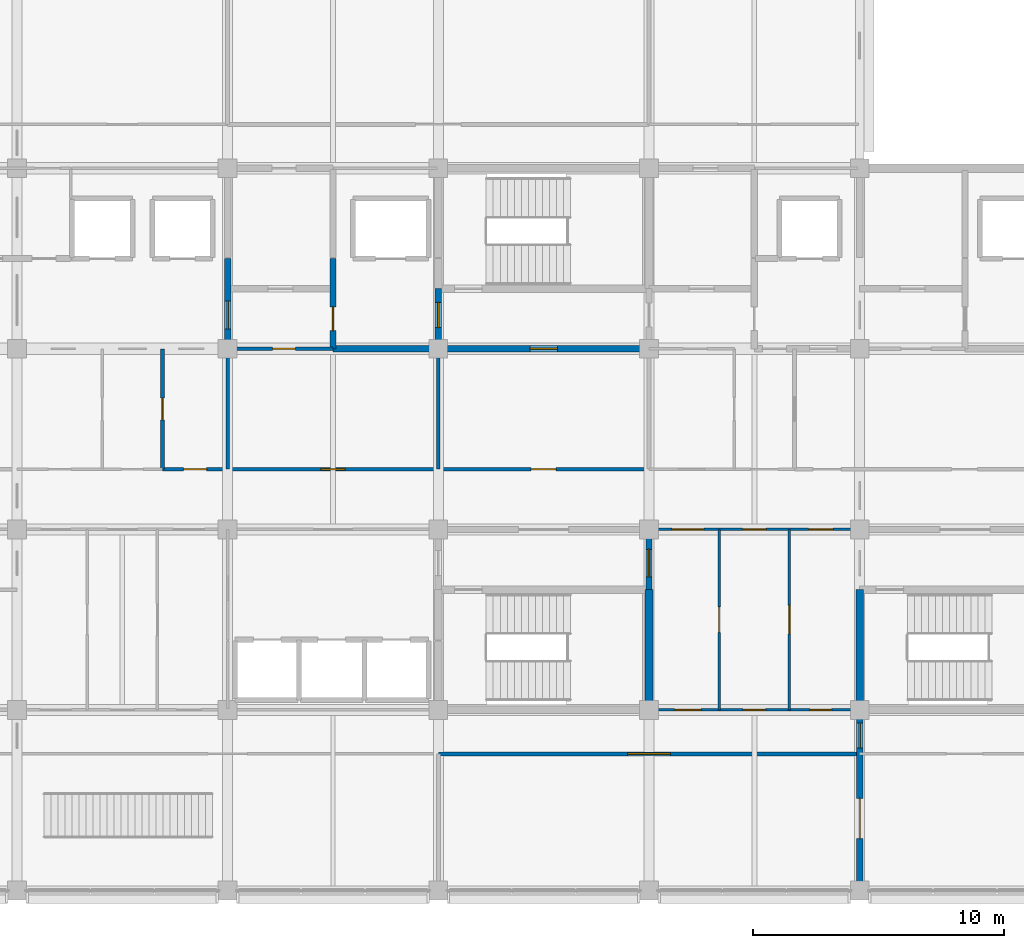
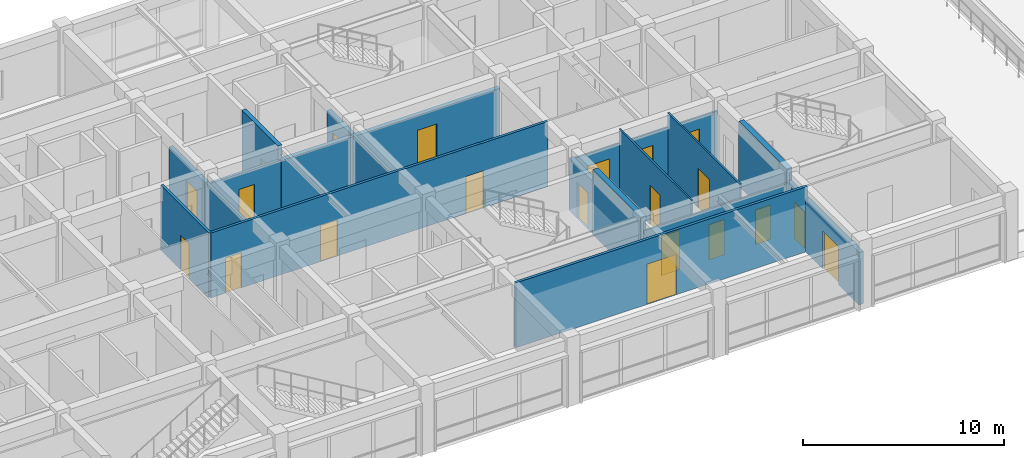
# One storey, part 20 of 27: 21 doors, 18 walls, 21 openings.
"""IFC4 building model written with IfcOpenShell, lengths in metres."""

from ifc_helpers import new_model, si_unit, direction, frame, frame_2d, origin, place, context, subcontext, project, spatial, rectangle, extrude, material, layer, layer_set, type_object, element, fill, save


model = new_model("IFC4")

# Units and contexts
model_context = context("Model", 3, precision=1e-05, world=origin(), true_north=direction((0.0, 1.0)))
body_context = subcontext(model_context, "Body", "Model", "MODEL_VIEW")
ifc_project = project(units=[si_unit("LENGTHUNIT", "METRE"), si_unit("AREAUNIT", "SQUARE_METRE"), si_unit("VOLUMEUNIT", "CUBIC_METRE"), si_unit("PLANEANGLEUNIT", "RADIAN"), si_unit("MASSUNIT", "GRAM", prefix="KILO")], contexts=[model_context])

# Site, building, storey
site_placement = place(None, origin())
site = spatial("IfcSite", under=ifc_project, at=site_placement, CompositionType="ELEMENT")
building_placement = place(site_placement, origin())
building = spatial("IfcBuilding", under=site, at=building_placement, Name="Chengyuan Square Courthouse", CompositionType="ELEMENT")
storey_placement = place(building_placement, frame((0.0, 0.0, 35.10009765625)))
storey = spatial("IfcBuildingStorey", under=building, at=storey_placement, Name="L08", CompositionType="ELEMENT", Elevation=35.10009765625)

# Wall, opening, door
ifc_material_1 = material(Name="Concrete C40", Category="concrete")
ifc_layer_1 = layer(ifc_material_1, 0.25)
ifc_layer_set_1 = layer_set([ifc_layer_1], Name="Concrete C40")
wall_type_1 = type_object("IfcWallType", Name="WL-FW1", PredefinedType="STANDARD", material=ifc_layer_set_1)
wall_1_placement = place(storey_placement, frame((96.60009765625, 100.800048828125, 0.0), z_axis=(0.0, 0.0, 1.0), x_axis=(1.0, 0.0, 0.0)))
wall_1 = element("IfcWall", 1, at=wall_1_placement, inside=storey, type_object=wall_type_1, Name="Interior Wall WL-L08-I2924", PredefinedType="STANDARD", context=body_context, shape_type="SweptSolid", body=[
    extrude(rectangle(XDim=12.599853515625, YDim=0.25, at=frame_2d((6.2998046875, 0.0))), origin(), (0.0, 0.0, 1.0), 3.099853515625),
])
opening_1_placement = place(wall_1_placement, frame((7.85009765625, 0.0, 0.0)))
opening_1 = element("IfcOpeningElement", 2, at=opening_1_placement, cuts=wall_1, Name="Opening DR-2506", PredefinedType="OPENING", context=body_context, shape_type="SweptSolid", body=[
    extrude(rectangle(XDim=1.10009765625, YDim=2.199951171875, at=frame_2d((0.550048828125, 1.10009765625))), frame((0.0, 0.136962890625, 0.0), z_axis=(0.0, -1.0, 0.0), x_axis=(1.0, 0.0, 0.0)), (0.0, 0.0, 1.0), 0.27392578125),
])
ifc_material_2 = material(Name="Steel Q235B Fire Door", Category="steel")
door_type_1 = type_object("IfcDoorType", Name="DT-10", OperationType="NOTDEFINED", PredefinedType="DOOR", material=ifc_material_2)
door_1_placement = place(opening_1_placement, origin())
door_1 = element("IfcDoor", 3, at=door_1_placement, inside=storey, type_object=door_type_1, Name="Interior Door DR-2506", OperationType="SINGLE_SWING_RIGHT", OverallHeight=2.199951171875, OverallWidth=1.10009765625, PredefinedType="DOOR", context=body_context, shape_type="SweptSolid", body=[
    extrude(rectangle(XDim=1.10009765625, YDim=2.199951171875, at=frame_2d((0.550048828125, 1.10009765625))), frame((0.0, 0.02490234375, 0.0), z_axis=(0.0, -1.0, 0.0), x_axis=(1.0, 0.0, 0.0)), (0.0, 0.0, 1.0), 0.050048828125),
])
fill(opening_1, door_1)

wall_2_placement = place(storey_placement, frame((92.39990234375, 100.800048828125, 0.0), z_axis=(0.0, 0.0, 1.0), x_axis=(0.0, 1.0, 0.0)))
wall_2 = element("IfcWall", 4, at=wall_2_placement, inside=storey, type_object=wall_type_1, Name="Interior Wall WL-L08-I3043", PredefinedType="STANDARD", context=body_context, shape_type="SweptSolid", body=[
    extrude(rectangle(XDim=3.599853515625, YDim=0.25, at=frame_2d((1.7998046875, 0.0))), origin(), (0.0, 0.0, 1.0), 3.199951171875),
])
opening_2_placement = place(wall_2_placement, frame((0.797607421875, 0.0, 0.0)))
opening_2 = element("IfcOpeningElement", 5, at=opening_2_placement, cuts=wall_2, Name="Opening DR-2524", PredefinedType="OPENING", context=body_context, shape_type="SweptSolid", body=[
    extrude(rectangle(XDim=1.10009765625, YDim=2.199951171875, at=frame_2d((0.550048828125, 1.10009765625))), frame((0.0, 0.136962890625, 0.0), z_axis=(0.0, -1.0, 0.0), x_axis=(1.0, 0.0, 0.0)), (0.0, 0.0, 1.0), 0.27392578125),
])
door_2_placement = place(opening_2_placement, origin())
door_2 = element("IfcDoor", 6, at=door_2_placement, inside=storey, type_object=door_type_1, Name="Interior Door DR-2524", OperationType="SINGLE_SWING_RIGHT", OverallHeight=2.199951171875, OverallWidth=1.10009765625, PredefinedType="DOOR", context=body_context, shape_type="SweptSolid", body=[
    extrude(rectangle(XDim=1.10009765625, YDim=2.199951171875, at=frame_2d((0.550048828125, 1.10009765625))), frame((0.0, 0.02490234375, 0.0), z_axis=(0.0, -1.0, 0.0), x_axis=(1.0, 0.0, 0.0)), (0.0, 0.0, 1.0), 0.050048828125),
])
fill(opening_2, door_2)

wall_3_placement = place(storey_placement, frame((96.60009765625, 100.800048828125, 0.0), z_axis=(0.0, 0.0, 1.0), x_axis=(0.0, 1.0, 0.0)))
wall_3 = element("IfcWall", 7, at=wall_3_placement, inside=storey, type_object=wall_type_1, Name="Interior Wall WL-L08-I3048", PredefinedType="STANDARD", context=body_context, shape_type="SweptSolid", body=[
    extrude(rectangle(XDim=3.599853515625, YDim=0.25, at=frame_2d((1.7998046875, 0.0))), origin(), (0.0, 0.0, 1.0), 3.949951171875),
])
opening_3_placement = place(wall_3_placement, frame((0.72509765625, 0.0, 0.0)))
opening_3 = element("IfcOpeningElement", 8, at=opening_3_placement, cuts=wall_3, Name="Opening DR-2523", PredefinedType="OPENING", context=body_context, shape_type="SweptSolid", body=[
    extrude(rectangle(XDim=0.949951171875, YDim=2.14990234375, at=frame_2d((0.47509765625, 1.074951171875))), frame((0.0, 0.136962890625, 0.0), z_axis=(0.0, -1.0, 0.0), x_axis=(1.0, 0.0, 0.0)), (0.0, 0.0, 1.0), 0.27392578125),
])
door_type_2 = type_object("IfcDoorType", Name="DT-12", OperationType="NOTDEFINED", PredefinedType="DOOR", material=ifc_material_2)
door_3_placement = place(opening_3_placement, origin())
door_3 = element("IfcDoor", 9, at=door_3_placement, inside=storey, type_object=door_type_2, Name="Interior Door DR-2523", OperationType="SINGLE_SWING_LEFT", OverallHeight=2.14990234375, OverallWidth=0.949951171875, PredefinedType="DOOR", context=body_context, shape_type="SweptSolid", body=[
    extrude(rectangle(XDim=0.949951171875, YDim=2.14990234375, at=frame_2d((0.47509765625, 1.074951171875))), frame((0.0, 0.02490234375, 0.0), z_axis=(0.0, -1.0, 0.0), x_axis=(1.0, 0.0, 0.0)), (0.0, 0.0, 1.0), 0.050048828125),
])
fill(opening_3, door_3)

wall_4_placement = place(storey_placement, frame((100.800048828125, 100.800048828125, 0.0), z_axis=(0.0, 0.0, 1.0), x_axis=(0.0, 1.0, 0.0)))
wall_4 = element("IfcWall", 10, at=wall_4_placement, inside=storey, type_object=wall_type_1, Name="Interior Wall WL-L08-I3059", PredefinedType="STANDARD", context=body_context, shape_type="SweptSolid", body=[
    extrude(rectangle(XDim=2.39990234375, YDim=0.25, at=frame_2d((1.199951171875, 0.0))), origin(), (0.0, 0.0, 1.0), 3.199951171875),
])
opening_4_placement = place(wall_4_placement, frame((0.847412109375, 0.0, 0.0)))
opening_4 = element("IfcOpeningElement", 11, at=opening_4_placement, cuts=wall_4, Name="Opening DR-2504", PredefinedType="OPENING", context=body_context, shape_type="SweptSolid", body=[
    extrude(rectangle(XDim=1.0, YDim=2.199951171875, at=frame_2d((0.5, 1.10009765625))), frame((0.0, 0.136962890625, 0.0), z_axis=(0.0, -1.0, 0.0), x_axis=(1.0, 0.0, 0.0)), (0.0, 0.0, 1.0), 0.27392578125),
])
door_type_3 = type_object("IfcDoorType", Name="DT-11", OperationType="NOTDEFINED", PredefinedType="DOOR", material=ifc_material_2)
door_4_placement = place(opening_4_placement, origin())
door_4 = element("IfcDoor", 12, at=door_4_placement, inside=storey, type_object=door_type_3, Name="Interior Door DR-2504", OperationType="SINGLE_SWING_RIGHT", OverallHeight=2.199951171875, OverallWidth=1.0, PredefinedType="DOOR", context=body_context, shape_type="SweptSolid", body=[
    extrude(rectangle(XDim=1.0, YDim=2.199951171875, at=frame_2d((0.5, 1.10009765625))), frame((0.0, 0.02490234375, 0.0), z_axis=(0.0, -1.0, 0.0), x_axis=(1.0, 0.0, 0.0)), (0.0, 0.0, 1.0), 0.050048828125),
])
fill(opening_4, door_4)

wall_5_placement = place(storey_placement, frame((109.199951171875, 91.199951171875, 0.0), z_axis=(0.0, 0.0, 1.0), x_axis=(0.0, 1.0, 0.0)))
wall_5 = element("IfcWall", 13, at=wall_5_placement, inside=storey, type_object=wall_type_1, Name="Interior Wall WL-L08-I3063", PredefinedType="STANDARD", context=body_context, shape_type="SweptSolid", body=[
    extrude(rectangle(XDim=2.400146484375, YDim=0.25, at=frame_2d((1.2001953125, 0.0))), origin(), (0.0, 0.0, 1.0), 3.199951171875),
])
opening_5_placement = place(wall_5_placement, frame((0.50244140625, 0.0, 0.0)))
opening_5 = element("IfcOpeningElement", 14, at=opening_5_placement, cuts=wall_5, Name="Opening DR-2512", PredefinedType="OPENING", context=body_context, shape_type="SweptSolid", body=[
    extrude(rectangle(XDim=1.10009765625, YDim=2.199951171875, at=frame_2d((0.550048828125, 1.10009765625))), frame((0.0, 0.136962890625, 0.0), z_axis=(0.0, -1.0, 0.0), x_axis=(1.0, 0.0, 0.0)), (0.0, 0.0, 1.0), 0.27392578125),
])
door_5_placement = place(opening_5_placement, origin())
door_5 = element("IfcDoor", 15, at=door_5_placement, inside=storey, type_object=door_type_1, Name="Interior Door DR-2512", OperationType="SINGLE_SWING_RIGHT", OverallHeight=2.199951171875, OverallWidth=1.10009765625, PredefinedType="DOOR", context=body_context, shape_type="SweptSolid", body=[
    extrude(rectangle(XDim=1.10009765625, YDim=2.199951171875, at=frame_2d((0.550048828125, 1.10009765625))), frame((0.0, 0.02490234375, 0.0), z_axis=(0.0, -1.0, 0.0), x_axis=(1.0, 0.0, 0.0)), (0.0, 0.0, 1.0), 0.050048828125),
])
fill(opening_5, door_5)

# Wall, openings, doors
wall_6_placement = place(storey_placement, frame((117.60009765625, 79.239990234375, 0.0), z_axis=(0.0, 0.0, 1.0), x_axis=(0.0, 1.0, 0.0)))
wall_6 = element("IfcWall", 16, at=wall_6_placement, inside=storey, type_object=wall_type_1, Name="Interior Wall WL-L08-I3076", PredefinedType="STANDARD", context=body_context, shape_type="SweptSolid", body=[
    extrude(rectangle(XDim=7.159912109375, YDim=0.25, at=frame_2d((3.580078125, 0.0))), origin(), (0.0, 0.0, 1.0), 3.199951171875),
])
opening_6_placement = place(wall_6_placement, frame((5.637451171875, 0.0, 0.0)))
opening_6 = element("IfcOpeningElement", 17, at=opening_6_placement, cuts=wall_6, Name="Opening DR-2627", PredefinedType="OPENING", context=body_context, shape_type="SweptSolid", body=[
    extrude(rectangle(XDim=1.0, YDim=2.199951171875, at=frame_2d((0.5, 1.10009765625))), frame((0.0, 0.136962890625, 0.0), z_axis=(0.0, -1.0, 0.0), x_axis=(1.0, 0.0, 0.0)), (0.0, 0.0, 1.0), 0.27392578125),
])
opening_7_placement = place(wall_6_placement, frame((2.032470703125, 0.0, 0.0)))
opening_7 = element("IfcOpeningElement", 18, at=opening_7_placement, cuts=wall_6, Name="Opening DR-2632", PredefinedType="OPENING", context=body_context, shape_type="SweptSolid", body=[
    extrude(rectangle(XDim=1.60009765625, YDim=2.300048828125, at=frame_2d((0.800048828125, 1.14990234375))), frame((0.0, 0.136962890625, 0.0), z_axis=(0.0, -1.0, 0.0), x_axis=(1.0, 0.0, 0.0)), (0.0, 0.0, 1.0), 0.27392578125),
])
door_6_placement = place(opening_6_placement, origin())
door_6 = element("IfcDoor", 19, at=door_6_placement, inside=storey, type_object=door_type_3, Name="Interior Door DR-2627", OperationType="SINGLE_SWING_LEFT", OverallHeight=2.199951171875, OverallWidth=1.0, PredefinedType="DOOR", context=body_context, shape_type="SweptSolid", body=[
    extrude(rectangle(XDim=1.0, YDim=2.199951171875, at=frame_2d((0.5, 1.10009765625))), frame((0.0, 0.02490234375, 0.0), z_axis=(0.0, -1.0, 0.0), x_axis=(1.0, 0.0, 0.0)), (0.0, 0.0, 1.0), 0.050048828125),
])
fill(opening_6, door_6)
ifc_material_3 = material(Name="Steel Q235B Glazed Fire Door", Category="steel")
door_type_4 = type_object("IfcDoorType", Name="DT-17", OperationType="DOUBLE_DOOR_SINGLE_SWING", PredefinedType="DOOR", material=ifc_material_3)
door_7_placement = place(opening_7_placement, frame((1.60009765625, 0.0, 0.0), z_axis=(0.0, 0.0, 1.0), x_axis=(-1.0, 0.0, 0.0)))
door_7 = element("IfcDoor", 20, at=door_7_placement, inside=storey, type_object=door_type_4, Name="Interior Door DR-2632", OperationType="DOUBLE_DOOR_SINGLE_SWING", OverallHeight=2.300048828125, OverallWidth=1.60009765625, PredefinedType="DOOR", context=body_context, shape_type="SweptSolid", body=[
    extrude(rectangle(XDim=1.60009765625, YDim=2.300048828125, at=frame_2d((0.800048828125, 1.14990234375))), frame((0.0, 0.02490234375, 0.0), z_axis=(0.0, -1.0, 0.0), x_axis=(1.0, 0.0, 0.0)), (0.0, 0.0, 1.0), 0.050048828125),
])
fill(opening_7, door_7)

# Wall, opening, door
ifc_material_4 = material(Name="Acoustic Timber-Lined Gypsum Partition", Category="wood")
ifc_layer_2 = layer(ifc_material_4, 0.159912109375)
ifc_layer_set_2 = layer_set([ifc_layer_2], Name="Acoustic Timber-Lined Gypsum Partition")
wall_type_2 = type_object("IfcWallType", Name="WL-PT2", PredefinedType="STANDARD", material=ifc_layer_set_2)
wall_7_placement = place(storey_placement, frame((100.800048828125, 84.64990234375, 0.0), z_axis=(0.0, 0.0, 1.0), x_axis=(1.0, 0.0, 0.0)))
wall_7 = element("IfcWall", 21, at=wall_7_placement, inside=storey, type_object=wall_type_2, Name="Interior Wall WL-L08-I2876", PredefinedType="STANDARD", context=body_context, shape_type="SweptSolid", body=[
    extrude(rectangle(XDim=16.800048828125, YDim=0.159912109375, at=frame_2d((8.39990234375, 0.0))), origin(), (0.0, 0.0, 1.0), 3.949951171875),
])
opening_8_placement = place(wall_7_placement, frame((7.550048828125, 0.0, 0.0)))
opening_8 = element("IfcOpeningElement", 22, at=opening_8_placement, cuts=wall_7, Name="Opening DR-2629", PredefinedType="OPENING", context=body_context, shape_type="SweptSolid", body=[
    extrude(rectangle(XDim=1.699951171875, YDim=2.449951171875, at=frame_2d((0.85009765625, 1.22509765625))), frame((0.0, 0.092041015625, 0.0), z_axis=(0.0, -1.0, 0.0), x_axis=(1.0, 0.0, 0.0)), (0.0, 0.0, 1.0), 0.183837890625),
])
ifc_material_5 = material(Name="Acoustic Larch Veneer Double Door")
door_type_5 = type_object("IfcDoorType", Name="DT-24", OperationType="DOUBLE_DOOR_SINGLE_SWING", PredefinedType="DOOR", material=ifc_material_5)
door_8_placement = place(opening_8_placement, frame((1.699951171875, 0.0, 0.0), z_axis=(0.0, 0.0, 1.0), x_axis=(-1.0, 0.0, 0.0)))
door_8 = element("IfcDoor", 23, at=door_8_placement, inside=storey, type_object=door_type_5, Name="Interior Door DR-2629", OperationType="DOUBLE_DOOR_SINGLE_SWING", OverallHeight=2.449951171875, OverallWidth=1.699951171875, PredefinedType="DOOR", context=body_context, shape_type="SweptSolid", body=[
    extrude(rectangle(XDim=1.699951171875, YDim=2.449951171875, at=frame_2d((0.85009765625, 1.22509765625))), frame((0.0, 0.02490234375, 0.0), z_axis=(0.0, -1.0, 0.0), x_axis=(1.0, 0.0, 0.0)), (0.0, 0.0, 1.0), 0.050048828125),
])
fill(opening_8, door_8)

# Wall, openings, doors
ifc_material_6 = material(Name="Deliberation Room Sound-Insulated Partition")
ifc_layer_3 = layer(ifc_material_6, 0.14990234375)
ifc_layer_set_3 = layer_set([ifc_layer_3], Name="Deliberation Room Sound-Insulated Partition")
wall_type_3 = type_object("IfcWallType", Name="WL-PT3", PredefinedType="STANDARD", material=ifc_layer_set_3)
wall_8_placement = place(storey_placement, frame((89.800048828125, 96.0, 0.0), z_axis=(0.0, 0.0, 1.0), x_axis=(1.0, 0.0, 0.0)))
wall_8 = element("IfcWall", 24, at=wall_8_placement, inside=storey, type_object=wall_type_3, Name="Interior Wall WL-L08-I2912", PredefinedType="STANDARD", context=body_context, shape_type="SweptSolid", body=[
    extrude(rectangle(XDim=19.39990234375, YDim=0.14990234375, at=frame_2d((9.699951171875, 0.0))), origin(), (0.0, 0.0, 1.0), 3.949951171875),
])
opening_9_placement = place(wall_8_placement, frame((0.840087890625, 0.0, 0.0)))
opening_9 = element("IfcOpeningElement", 25, at=opening_9_placement, cuts=wall_8, Name="Opening DR-2578", PredefinedType="OPENING", context=body_context, shape_type="SweptSolid", body=[
    extrude(rectangle(XDim=0.919921875, YDim=2.14990234375, at=frame_2d((0.4599609375, 1.074951171875))), frame((0.0, 0.0869140625, 0.0), z_axis=(0.0, -1.0, 0.0), x_axis=(1.0, 0.0, 0.0)), (0.0, 0.0, 1.0), 0.173828125),
])
opening_10_placement = place(wall_8_placement, frame((6.320068359375, 0.0, 0.0)))
opening_10 = element("IfcOpeningElement", 26, at=opening_10_placement, cuts=wall_8, Name="Opening DR-2579", PredefinedType="OPENING", context=body_context, shape_type="SweptSolid", body=[
    extrude(rectangle(XDim=0.9599609375, YDim=2.199951171875, at=frame_2d((0.47998046875, 1.10009765625))), frame((0.0, 0.0869140625, 0.0), z_axis=(0.0, -1.0, 0.0), x_axis=(1.0, 0.0, 0.0)), (0.0, 0.0, 1.0), 0.173828125),
])
opening_11_placement = place(wall_8_placement, frame((14.699951171875, 0.0, 0.0)))
opening_11 = element("IfcOpeningElement", 27, at=opening_11_placement, cuts=wall_8, Name="Opening DR-2580", PredefinedType="OPENING", context=body_context, shape_type="SweptSolid", body=[
    extrude(rectangle(XDim=1.0, YDim=2.25, at=frame_2d((0.5, 1.125))), frame((0.0, 0.0869140625, 0.0), z_axis=(0.0, -1.0, 0.0), x_axis=(1.0, 0.0, 0.0)), (0.0, 0.0, 1.0), 0.173828125),
])
ifc_material_7 = material(Name="Acoustic Solid-Core Timber Door", Category="wood")
door_type_6 = type_object("IfcDoorType", Name="DT-29", OperationType="NOTDEFINED", PredefinedType="DOOR", material=ifc_material_7)
door_9_placement = place(opening_9_placement, origin())
door_9 = element("IfcDoor", 28, at=door_9_placement, inside=storey, type_object=door_type_6, Name="Interior Door DR-2578", OperationType="SINGLE_SWING_RIGHT", OverallHeight=2.14990234375, OverallWidth=0.919921875, PredefinedType="DOOR", context=body_context, shape_type="SweptSolid", body=[
    extrude(rectangle(XDim=0.919921875, YDim=2.14990234375, at=frame_2d((0.4599609375, 1.074951171875))), frame((0.0, 0.02490234375, 0.0), z_axis=(0.0, -1.0, 0.0), x_axis=(1.0, 0.0, 0.0)), (0.0, 0.0, 1.0), 0.050048828125),
])
fill(opening_9, door_9)
door_type_7 = type_object("IfcDoorType", Name="DT-30", OperationType="NOTDEFINED", PredefinedType="DOOR", material=ifc_material_7)
door_10_placement = place(opening_10_placement, origin())
door_10 = element("IfcDoor", 29, at=door_10_placement, inside=storey, type_object=door_type_7, Name="Interior Door DR-2579", OperationType="SINGLE_SWING_LEFT", OverallHeight=2.199951171875, OverallWidth=0.9599609375, PredefinedType="DOOR", context=body_context, shape_type="SweptSolid", body=[
    extrude(rectangle(XDim=0.9599609375, YDim=2.199951171875, at=frame_2d((0.47998046875, 1.10009765625))), frame((0.0, 0.02490234375, 0.0), z_axis=(0.0, -1.0, 0.0), x_axis=(1.0, 0.0, 0.0)), (0.0, 0.0, 1.0), 0.050048828125),
])
fill(opening_10, door_10)
door_type_8 = type_object("IfcDoorType", Name="DT-31", OperationType="NOTDEFINED", PredefinedType="DOOR", material=ifc_material_7)
door_11_placement = place(opening_11_placement, origin())
door_11 = element("IfcDoor", 30, at=door_11_placement, inside=storey, type_object=door_type_8, Name="Interior Door DR-2580", OperationType="SINGLE_SWING_RIGHT", OverallHeight=2.25, OverallWidth=1.0, PredefinedType="DOOR", context=body_context, shape_type="SweptSolid", body=[
    extrude(rectangle(XDim=1.0, YDim=2.25, at=frame_2d((0.5, 1.125))), frame((0.0, 0.02490234375, 0.0), z_axis=(0.0, -1.0, 0.0), x_axis=(1.0, 0.0, 0.0)), (0.0, 0.0, 1.0), 0.050048828125),
])
fill(opening_11, door_11)

# Wall, opening, door
wall_9_placement = place(storey_placement, frame((92.39990234375, 100.800048828125, 0.0), z_axis=(0.0, 0.0, 1.0), x_axis=(1.0, 0.0, 0.0)))
wall_9 = element("IfcWall", 31, at=wall_9_placement, inside=storey, type_object=wall_type_3, Name="Interior Wall WL-L08-I2923", PredefinedType="STANDARD", context=body_context, shape_type="SweptSolid", body=[
    extrude(rectangle(XDim=4.2001953125, YDim=0.14990234375, at=frame_2d((2.10009765625, 0.0))), origin(), (0.0, 0.0, 1.0), 3.099853515625),
])
opening_12_placement = place(wall_9_placement, frame((1.797607421875, 0.0, 0.0)))
opening_12 = element("IfcOpeningElement", 32, at=opening_12_placement, cuts=wall_9, Name="Opening DR-2525", PredefinedType="OPENING", context=body_context, shape_type="SweptSolid", body=[
    extrude(rectangle(XDim=0.89990234375, YDim=2.14990234375, at=frame_2d((0.449951171875, 1.074951171875))), frame((0.0, 0.0869140625, 0.0), z_axis=(0.0, -1.0, 0.0), x_axis=(1.0, 0.0, 0.0)), (0.0, 0.0, 1.0), 0.173828125),
])
door_type_9 = type_object("IfcDoorType", Name="DT-27", OperationType="NOTDEFINED", PredefinedType="DOOR", material=ifc_material_7)
door_12_placement = place(opening_12_placement, origin())
door_12 = element("IfcDoor", 33, at=door_12_placement, inside=storey, type_object=door_type_9, Name="Interior Door DR-2525", OperationType="SINGLE_SWING_LEFT", OverallHeight=2.14990234375, OverallWidth=0.89990234375, PredefinedType="DOOR", context=body_context, shape_type="SweptSolid", body=[
    extrude(rectangle(XDim=0.89990234375, YDim=2.14990234375, at=frame_2d((0.449951171875, 1.074951171875))), frame((0.0, 0.02490234375, 0.0), z_axis=(0.0, -1.0, 0.0), x_axis=(1.0, 0.0, 0.0)), (0.0, 0.0, 1.0), 0.050048828125),
])
fill(opening_12, door_12)

wall_10_placement = place(storey_placement, frame((89.800048828125, 96.0, 0.0), z_axis=(0.0, 0.0, 1.0), x_axis=(0.0, 1.0, 0.0)))
wall_10 = element("IfcWall", 34, at=wall_10_placement, inside=storey, type_object=wall_type_3, Name="Interior Wall WL-L08-I3038", PredefinedType="STANDARD", context=body_context, shape_type="SweptSolid", body=[
    extrude(rectangle(XDim=4.800048828125, YDim=0.14990234375, at=frame_2d((2.39990234375, 0.0))), origin(), (0.0, 0.0, 1.0), 3.949951171875),
])
opening_13_placement = place(wall_10_placement, frame((1.969970703125, 0.0, 0.0)))
opening_13 = element("IfcOpeningElement", 35, at=opening_13_placement, cuts=wall_10, Name="Opening DR-2594", PredefinedType="OPENING", context=body_context, shape_type="SweptSolid", body=[
    extrude(rectangle(XDim=0.860107421875, YDim=2.10009765625, at=frame_2d((0.43017578125, 1.050048828125))), frame((0.0, 0.0869140625, 0.0), z_axis=(0.0, -1.0, 0.0), x_axis=(1.0, 0.0, 0.0)), (0.0, 0.0, 1.0), 0.173828125),
])
door_type_10 = type_object("IfcDoorType", Name="DT-28", OperationType="NOTDEFINED", PredefinedType="DOOR", material=ifc_material_7)
door_13_placement = place(opening_13_placement, origin())
door_13 = element("IfcDoor", 36, at=door_13_placement, inside=storey, type_object=door_type_10, Name="Interior Door DR-2594", OperationType="SINGLE_SWING_RIGHT", OverallHeight=2.10009765625, OverallWidth=0.860107421875, PredefinedType="DOOR", context=body_context, shape_type="SweptSolid", body=[
    extrude(rectangle(XDim=0.860107421875, YDim=2.10009765625, at=frame_2d((0.43017578125, 1.050048828125))), frame((0.0, 0.02490234375, 0.0), z_axis=(0.0, -1.0, 0.0), x_axis=(1.0, 0.0, 0.0)), (0.0, 0.0, 1.0), 0.050048828125),
])
fill(opening_13, door_13)

# Walls
for number, where, z_axis, x_axis, name in (
    (37, (92.39990234375, 96.0, 0.0), (0.0, 0.0, 1.0), (0.0, 1.0, 0.0), "Interior Wall WL-L08-I3042"),
    (38, (100.800048828125, 96.0, 0.0), (0.0, 0.0, 1.0), (0.0, 1.0, 0.0), "Interior Wall WL-L08-I3058"),
):
    element("IfcWall", number, at=place(storey_placement, frame(where, z_axis=z_axis, x_axis=x_axis)), inside=storey, type_object=wall_type_3, Name=name, PredefinedType="STANDARD", context=body_context, shape_type="SweptSolid", body=[
        extrude(rectangle(XDim=4.800048828125, YDim=0.14990234375, at=frame_2d((2.39990234375, 0.0))), origin(), (0.0, 0.0, 1.0), 3.199951171875),
    ])

# Wall, openings, doors
ifc_material_8 = material(Name="Gypsum Plasterboard Acoustic Stud Partition")
ifc_layer_4 = layer(ifc_material_8, 0.10009765625)
ifc_layer_set_4 = layer_set([ifc_layer_4], Name="Gypsum Plasterboard Acoustic Stud Partition")
wall_type_4 = type_object("IfcWallType", Name="WL-PT6", PredefinedType="STANDARD", material=ifc_layer_set_4)
wall_11_placement = place(storey_placement, frame((109.199951171875, 86.39990234375, 0.0), z_axis=(0.0, 0.0, 1.0), x_axis=(1.0, 0.0, 0.0)))
wall_11 = element("IfcWall", 39, at=wall_11_placement, inside=storey, type_object=wall_type_4, Name="Interior Wall WL-L08-I2886", PredefinedType="STANDARD", context=body_context, shape_type="SweptSolid", body=[
    extrude(rectangle(XDim=8.400146484375, YDim=0.10009765625, at=frame_2d((4.2001953125, 0.0))), origin(), (0.0, 0.0, 1.0), 3.099853515625),
])
opening_14_placement = place(wall_11_placement, frame((1.017578125, 0.0, 0.0)))
opening_14 = element("IfcOpeningElement", 40, at=opening_14_placement, cuts=wall_11, Name="Opening DR-2608", PredefinedType="OPENING", context=body_context, shape_type="SweptSolid", body=[
    extrude(rectangle(XDim=1.06005859375, YDim=2.39990234375, at=frame_2d((0.530029296875, 1.199951171875))), frame((0.0, 0.06201171875, 0.0), z_axis=(0.0, -1.0, 0.0), x_axis=(1.0, 0.0, 0.0)), (0.0, 0.0, 1.0), 0.1240234375),
])
opening_15_placement = place(wall_11_placement, frame((3.75, 0.0, 0.0)))
opening_15 = element("IfcOpeningElement", 41, at=opening_15_placement, cuts=wall_11, Name="Opening DR-2610", PredefinedType="OPENING", context=body_context, shape_type="SweptSolid", body=[
    extrude(rectangle(XDim=0.89990234375, YDim=2.14990234375, at=frame_2d((0.449951171875, 1.074951171875))), frame((0.0, 0.06201171875, 0.0), z_axis=(0.0, -1.0, 0.0), x_axis=(1.0, 0.0, 0.0)), (0.0, 0.0, 1.0), 0.1240234375),
])
opening_16_placement = place(wall_11_placement, frame((6.422607421875, 0.0, 0.0)))
opening_16 = element("IfcOpeningElement", 42, at=opening_16_placement, cuts=wall_11, Name="Opening DR-2611", PredefinedType="OPENING", context=body_context, shape_type="SweptSolid", body=[
    extrude(rectangle(XDim=0.860107421875, YDim=2.10009765625, at=frame_2d((0.43017578125, 1.050048828125))), frame((0.0, 0.06201171875, 0.0), z_axis=(0.0, -1.0, 0.0), x_axis=(1.0, 0.0, 0.0)), (0.0, 0.0, 1.0), 0.1240234375),
])
door_14_placement = place(opening_15_placement, origin())
door_14 = element("IfcDoor", 43, at=door_14_placement, inside=storey, type_object=door_type_9, Name="Interior Door DR-2610", OperationType="SINGLE_SWING_RIGHT", OverallHeight=2.14990234375, OverallWidth=0.89990234375, PredefinedType="DOOR", context=body_context, shape_type="SweptSolid", body=[
    extrude(rectangle(XDim=0.89990234375, YDim=2.14990234375, at=frame_2d((0.449951171875, 1.074951171875))), frame((0.0, 0.02490234375, 0.0), z_axis=(0.0, -1.0, 0.0), x_axis=(1.0, 0.0, 0.0)), (0.0, 0.0, 1.0), 0.050048828125),
])
fill(opening_15, door_14)
door_15_placement = place(opening_16_placement, origin())
door_15 = element("IfcDoor", 44, at=door_15_placement, inside=storey, type_object=door_type_10, Name="Interior Door DR-2611", OperationType="SINGLE_SWING_LEFT", OverallHeight=2.10009765625, OverallWidth=0.860107421875, PredefinedType="DOOR", context=body_context, shape_type="SweptSolid", body=[
    extrude(rectangle(XDim=0.860107421875, YDim=2.10009765625, at=frame_2d((0.43017578125, 1.050048828125))), frame((0.0, 0.02490234375, 0.0), z_axis=(0.0, -1.0, 0.0), x_axis=(1.0, 0.0, 0.0)), (0.0, 0.0, 1.0), 0.050048828125),
])
fill(opening_16, door_15)
door_type_11 = type_object("IfcDoorType", Name="DT-42", OperationType="NOTDEFINED", PredefinedType="DOOR", material=ifc_material_7)
door_16_placement = place(opening_14_placement, origin())
door_16 = element("IfcDoor", 45, at=door_16_placement, inside=storey, type_object=door_type_11, Name="Interior Door DR-2608", OperationType="SINGLE_SWING_RIGHT", OverallHeight=2.39990234375, OverallWidth=1.06005859375, PredefinedType="DOOR", context=body_context, shape_type="SweptSolid", body=[
    extrude(rectangle(XDim=1.06005859375, YDim=2.39990234375, at=frame_2d((0.530029296875, 1.199951171875))), frame((0.0, 0.02490234375, 0.0), z_axis=(0.0, -1.0, 0.0), x_axis=(1.0, 0.0, 0.0)), (0.0, 0.0, 1.0), 0.050048828125),
])
fill(opening_14, door_16)

wall_12_placement = place(storey_placement, frame((109.199951171875, 93.60009765625, 0.0), z_axis=(0.0, 0.0, 1.0), x_axis=(1.0, 0.0, 0.0)))
wall_12 = element("IfcWall", 46, at=wall_12_placement, inside=storey, type_object=wall_type_4, Name="Interior Wall WL-L08-I2906", PredefinedType="STANDARD", context=body_context, shape_type="SweptSolid", body=[
    extrude(rectangle(XDim=8.400146484375, YDim=0.10009765625, at=frame_2d((4.2001953125, 0.0))), origin(), (0.0, 0.0, 1.0), 3.099853515625),
])
opening_17_placement = place(wall_12_placement, frame((0.907470703125, 0.0, 0.0)))
opening_17 = element("IfcOpeningElement", 47, at=opening_17_placement, cuts=wall_12, Name="Opening DR-2587", PredefinedType="OPENING", context=body_context, shape_type="SweptSolid", body=[
    extrude(rectangle(XDim=1.280029296875, YDim=2.35009765625, at=frame_2d((0.64013671875, 1.175048828125))), frame((0.0, 0.06201171875, 0.0), z_axis=(0.0, -1.0, 0.0), x_axis=(1.0, 0.0, 0.0)), (0.0, 0.0, 1.0), 0.1240234375),
])
opening_18_placement = place(wall_12_placement, frame((3.72998046875, 0.0, 0.0)))
opening_18 = element("IfcOpeningElement", 48, at=opening_18_placement, cuts=wall_12, Name="Opening DR-2588", PredefinedType="OPENING", context=body_context, shape_type="SweptSolid", body=[
    extrude(rectangle(XDim=0.93994140625, YDim=2.300048828125, at=frame_2d((0.469970703125, 1.14990234375))), frame((0.0, 0.06201171875, 0.0), z_axis=(0.0, -1.0, 0.0), x_axis=(1.0, 0.0, 0.0)), (0.0, 0.0, 1.0), 0.1240234375),
])
opening_19_placement = place(wall_12_placement, frame((6.362548828125, 0.0, 0.0)))
opening_19 = element("IfcOpeningElement", 49, at=opening_19_placement, cuts=wall_12, Name="Opening DR-2589", PredefinedType="OPENING", context=body_context, shape_type="SweptSolid", body=[
    extrude(rectangle(XDim=0.97998046875, YDim=2.35009765625, at=frame_2d((0.489990234375, 1.175048828125))), frame((0.0, 0.06201171875, 0.0), z_axis=(0.0, -1.0, 0.0), x_axis=(1.0, 0.0, 0.0)), (0.0, 0.0, 1.0), 0.1240234375),
])
door_type_12 = type_object("IfcDoorType", Name="DT-38", OperationType="NOTDEFINED", PredefinedType="DOOR", material=ifc_material_7)
door_17_placement = place(opening_17_placement, origin())
door_17 = element("IfcDoor", 50, at=door_17_placement, inside=storey, type_object=door_type_12, Name="Interior Door DR-2587", OperationType="SINGLE_SWING_LEFT", OverallHeight=2.35009765625, OverallWidth=1.280029296875, PredefinedType="DOOR", context=body_context, shape_type="SweptSolid", body=[
    extrude(rectangle(XDim=1.280029296875, YDim=2.35009765625, at=frame_2d((0.64013671875, 1.175048828125))), frame((0.0, 0.02490234375, 0.0), z_axis=(0.0, -1.0, 0.0), x_axis=(1.0, 0.0, 0.0)), (0.0, 0.0, 1.0), 0.050048828125),
])
fill(opening_17, door_17)
door_type_13 = type_object("IfcDoorType", Name="DT-39", OperationType="NOTDEFINED", PredefinedType="DOOR", material=ifc_material_7)
door_18_placement = place(opening_18_placement, origin())
door_18 = element("IfcDoor", 51, at=door_18_placement, inside=storey, type_object=door_type_13, Name="Interior Door DR-2588", OperationType="SINGLE_SWING_RIGHT", OverallHeight=2.300048828125, OverallWidth=0.93994140625, PredefinedType="DOOR", context=body_context, shape_type="SweptSolid", body=[
    extrude(rectangle(XDim=0.93994140625, YDim=2.300048828125, at=frame_2d((0.469970703125, 1.14990234375))), frame((0.0, 0.02490234375, 0.0), z_axis=(0.0, -1.0, 0.0), x_axis=(1.0, 0.0, 0.0)), (0.0, 0.0, 1.0), 0.050048828125),
])
fill(opening_18, door_18)
door_type_14 = type_object("IfcDoorType", Name="DT-40", OperationType="NOTDEFINED", PredefinedType="DOOR", material=ifc_material_7)
door_19_placement = place(opening_19_placement, origin())
door_19 = element("IfcDoor", 52, at=door_19_placement, inside=storey, type_object=door_type_14, Name="Interior Door DR-2589", OperationType="SINGLE_SWING_LEFT", OverallHeight=2.35009765625, OverallWidth=0.97998046875, PredefinedType="DOOR", context=body_context, shape_type="SweptSolid", body=[
    extrude(rectangle(XDim=0.97998046875, YDim=2.35009765625, at=frame_2d((0.489990234375, 1.175048828125))), frame((0.0, 0.02490234375, 0.0), z_axis=(0.0, -1.0, 0.0), x_axis=(1.0, 0.0, 0.0)), (0.0, 0.0, 1.0), 0.050048828125),
])
fill(opening_19, door_19)

# Wall, opening, door
wall_13_placement = place(storey_placement, frame((112.0, 86.39990234375, 0.0), z_axis=(0.0, 0.0, 1.0), x_axis=(0.0, 1.0, 0.0)))
wall_13 = element("IfcWall", 53, at=wall_13_placement, inside=storey, type_object=wall_type_4, Name="Interior Wall WL-L08-I3068", PredefinedType="STANDARD", context=body_context, shape_type="SweptSolid", body=[
    extrude(rectangle(XDim=7.2001953125, YDim=0.10009765625, at=frame_2d((3.60009765625, 0.0))), origin(), (0.0, 0.0, 1.0), 3.949951171875),
])
opening_20_placement = place(wall_13_placement, frame((3.090087890625, 0.0, 0.0)))
opening_20 = element("IfcOpeningElement", 54, at=opening_20_placement, cuts=wall_13, Name="Opening DR-2607", PredefinedType="OPENING", context=body_context, shape_type="SweptSolid", body=[
    extrude(rectangle(XDim=1.02001953125, YDim=2.39990234375, at=frame_2d((0.510009765625, 1.199951171875))), frame((0.0, 0.06201171875, 0.0), z_axis=(0.0, -1.0, 0.0), x_axis=(1.0, 0.0, 0.0)), (0.0, 0.0, 1.0), 0.1240234375),
])
door_type_15 = type_object("IfcDoorType", Name="DT-41", OperationType="NOTDEFINED", PredefinedType="DOOR", material=ifc_material_7)
door_20_placement = place(opening_20_placement, origin())
door_20 = element("IfcDoor", 55, at=door_20_placement, inside=storey, type_object=door_type_15, Name="Interior Door DR-2607", OperationType="SINGLE_SWING_LEFT", OverallHeight=2.39990234375, OverallWidth=1.02001953125, PredefinedType="DOOR", context=body_context, shape_type="SweptSolid", body=[
    extrude(rectangle(XDim=1.02001953125, YDim=2.39990234375, at=frame_2d((0.510009765625, 1.199951171875))), frame((0.0, 0.02490234375, 0.0), z_axis=(0.0, -1.0, 0.0), x_axis=(1.0, 0.0, 0.0)), (0.0, 0.0, 1.0), 0.050048828125),
])
fill(opening_20, door_20)

wall_14_placement = place(storey_placement, frame((114.800048828125, 86.39990234375, 0.0), z_axis=(0.0, 0.0, 1.0), x_axis=(0.0, 1.0, 0.0)))
wall_14 = element("IfcWall", 56, at=wall_14_placement, inside=storey, type_object=wall_type_4, Name="Interior Wall WL-L08-I3073", PredefinedType="STANDARD", context=body_context, shape_type="SweptSolid", body=[
    extrude(rectangle(XDim=7.2001953125, YDim=0.10009765625, at=frame_2d((3.60009765625, 0.0))), origin(), (0.0, 0.0, 1.0), 3.949951171875),
])
opening_21_placement = place(wall_14_placement, frame((3.030029296875, 0.0, 0.0)))
opening_21 = element("IfcOpeningElement", 57, at=opening_21_placement, cuts=wall_14, Name="Opening DR-2609", PredefinedType="OPENING", context=body_context, shape_type="SweptSolid", body=[
    extrude(rectangle(XDim=1.139892578125, YDim=2.39990234375, at=frame_2d((0.56982421875, 1.199951171875))), frame((0.0, 0.06201171875, 0.0), z_axis=(0.0, -1.0, 0.0), x_axis=(1.0, 0.0, 0.0)), (0.0, 0.0, 1.0), 0.1240234375),
])
door_type_16 = type_object("IfcDoorType", Name="DT-43", OperationType="NOTDEFINED", PredefinedType="DOOR", material=ifc_material_7)
door_21_placement = place(opening_21_placement, origin())
door_21 = element("IfcDoor", 58, at=door_21_placement, inside=storey, type_object=door_type_16, Name="Interior Door DR-2609", OperationType="SINGLE_SWING_LEFT", OverallHeight=2.39990234375, OverallWidth=1.139892578125, PredefinedType="DOOR", context=body_context, shape_type="SweptSolid", body=[
    extrude(rectangle(XDim=1.139892578125, YDim=2.39990234375, at=frame_2d((0.56982421875, 1.199951171875))), frame((0.0, 0.02490234375, 0.0), z_axis=(0.0, -1.0, 0.0), x_axis=(1.0, 0.0, 0.0)), (0.0, 0.0, 1.0), 0.050048828125),
])
fill(opening_21, door_21)

# Walls
ifc_layer_5 = layer(ifc_material_1, 0.300048828125)
ifc_layer_set_5 = layer_set([ifc_layer_5], Name="Concrete C40")
wall_type_5 = type_object("IfcWallType", Name="WL-SW2", PredefinedType="SHEAR", material=ifc_layer_set_5)
for number, where, z_axis, x_axis, name in (
    (59, (109.199951171875, 86.39990234375, 0.0), (0.0, 0.0, 1.0), (0.0, 1.0, 0.0), "Interior Wall WL-L08-I3062"),
    (60, (117.60009765625, 86.39990234375, 0.0), (0.0, 0.0, 1.0), (0.0, 1.0, 0.0), "Interior Wall WL-L08-I3077"),
):
    element("IfcWall", number, at=place(storey_placement, frame(where, z_axis=z_axis, x_axis=x_axis)), inside=storey, type_object=wall_type_5, Name=name, PredefinedType="SHEAR", context=body_context, shape_type="SweptSolid", body=[
        extrude(rectangle(XDim=4.800048828125, YDim=0.300048828125, at=frame_2d((2.39990234375, 0.0))), origin(), (0.0, 0.0, 1.0), 3.949951171875),
    ])

save(model, "model.ifc")
